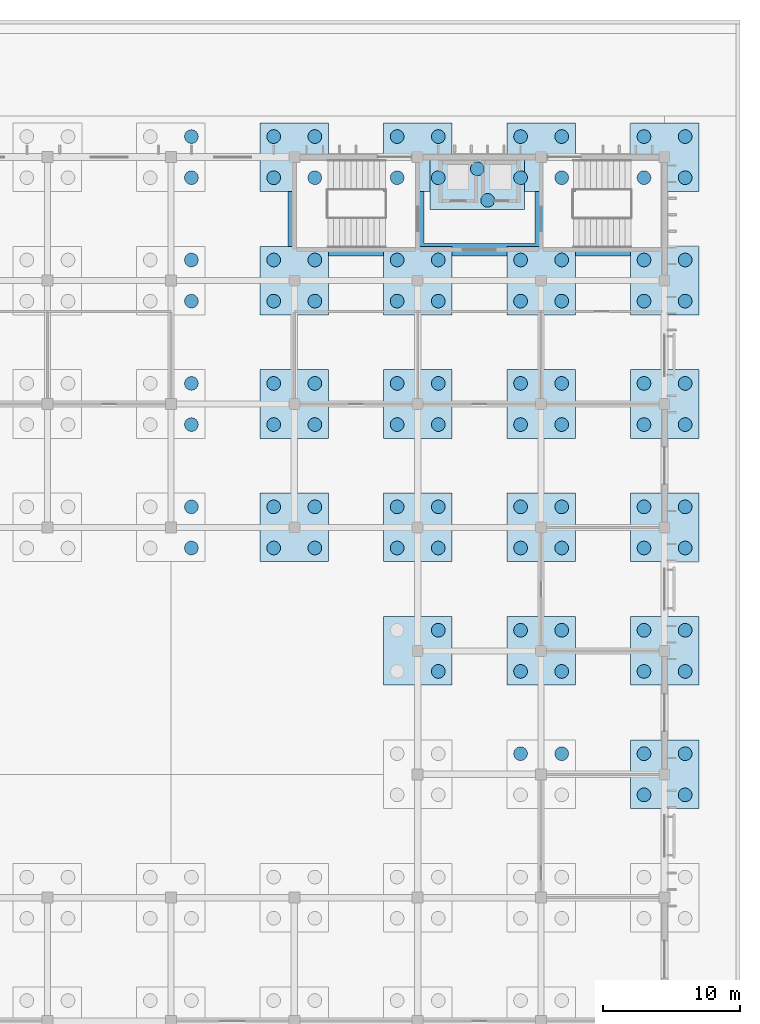
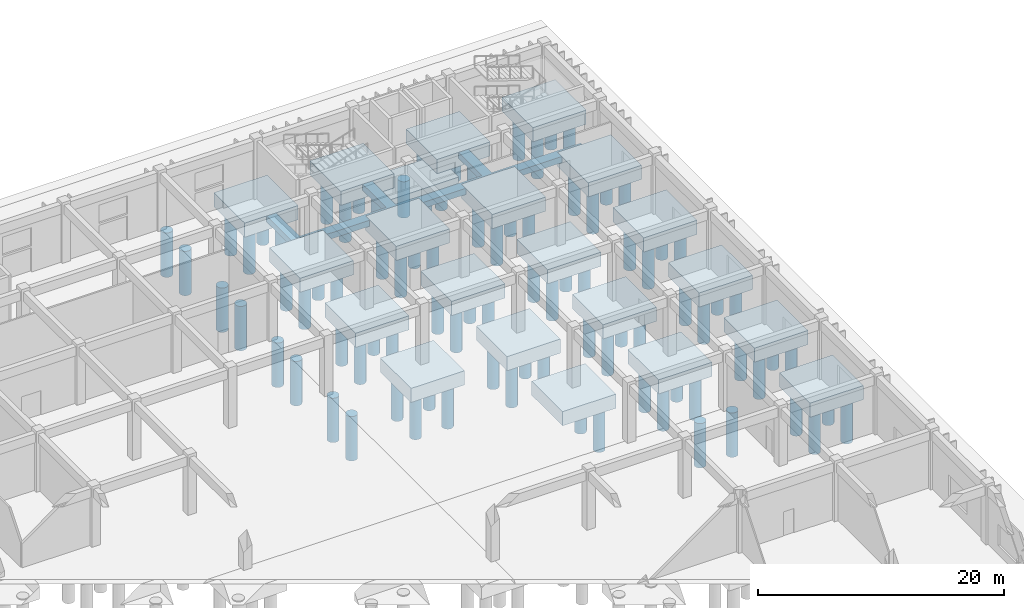
# One storey, part 17 of 198: 90 piles, 22 footings.
"""IFC4 building model written with IfcOpenShell, lengths in metres."""

from ifc_helpers import new_model, si_unit, direction, frame, origin, origin_2d, place, context, subcontext, project, spatial, polyline, circle, outline, extrude, material, layer, layer_set, material_profile, profile_set, type_object, element, save


model = new_model("IFC4")

# Units and contexts
model_context = context("Model", 3, precision=1e-05, world=origin(), true_north=direction((0.0, 1.0)))
body_context = subcontext(model_context, "Body", "Model", "MODEL_VIEW")
ifc_project = project(units=[si_unit("LENGTHUNIT", "METRE"), si_unit("AREAUNIT", "SQUARE_METRE"), si_unit("VOLUMEUNIT", "CUBIC_METRE"), si_unit("PLANEANGLEUNIT", "RADIAN"), si_unit("MASSUNIT", "GRAM", prefix="KILO")], contexts=[model_context])

# Site, building, storey
site_placement = place(None, origin())
site = spatial("IfcSite", under=ifc_project, at=site_placement, CompositionType="ELEMENT")
building_placement = place(site_placement, origin())
building = spatial("IfcBuilding", under=site, at=building_placement, Name="Opaline Strait Convention Centre", CompositionType="ELEMENT")
storey_placement = place(building_placement, origin())
storey = spatial("IfcBuildingStorey", under=building, at=storey_placement, Name="L00", CompositionType="ELEMENT", Elevation=0.0)

# Piles
ifc_material_1 = material(Name="Concrete C35", Category="concrete")
ifc_material_profile_1 = material_profile(ifc_material_1, circle(Radius=0.5, at=origin_2d()), Name="D1000")
ifc_profile_set_1 = profile_set([ifc_material_profile_1], Name="Concrete C35")
pile_type_1 = type_object("IfcPileType", Name="Bored pile D1000 L3.6 C35", PredefinedType="BORED", material=ifc_profile_set_1)
for number, where, z_axis, x_axis, name in (
    (1, (346.35009765625, 179.14990234375, -2.39990234375), (0.0, 0.0, -1.0), (1.0, 0.0, 0.0), "MPL2 pile 1 of lift pit raft NE"),
    (2, (347.10009765625, 176.85009765625, -2.39990234375), (0.0, 0.0, -1.0), (1.0, 0.0, 0.0), "MPL2 pile 2 of lift pit raft NE"),
):
    element("IfcPile", number, at=place(storey_placement, frame(where, z_axis=z_axis, x_axis=x_axis)), inside=storey, type_object=pile_type_1, Name=name, PredefinedType="BORED", context=body_context, shape_type="SweptSolid", body=[
        extrude(circle(Radius=0.5, at=origin_2d()), origin(), (0.0, 0.0, 1.0), 3.60009765625),
    ])
ifc_material_profile_2 = material_profile(ifc_material_1, circle(Radius=0.5, at=origin_2d()), Name="D1000")
ifc_profile_set_2 = profile_set([ifc_material_profile_2], Name="Concrete C35")
pile_type_2 = type_object("IfcPileType", Name="Bored pile D1000 L4.4 C35", PredefinedType="BORED", material=ifc_profile_set_2)
for number, where, z_axis, x_axis, name in (
    (3, (325.5, 151.5, -1.60009765625), (0.0, 0.0, -1.0), (1.0, 0.0, 0.0), "MPL1 pile 3 of cap at 37/T"),
    (4, (325.5, 154.5, -1.60009765625), (0.0, 0.0, -1.0), (1.0, 0.0, 0.0), "MPL1 pile 4 of cap at 37/T"),
    (5, (325.5, 160.5, -1.60009765625), (0.0, 0.0, -1.0), (1.0, 0.0, 0.0), "MPL1 pile 3 of cap at 37/U"),
    (6, (325.5, 163.5, -1.60009765625), (0.0, 0.0, -1.0), (1.0, 0.0, 0.0), "MPL1 pile 4 of cap at 37/U"),
    (7, (325.5, 169.5, -1.60009765625), (0.0, 0.0, -1.0), (1.0, 0.0, 0.0), "MPL1 pile 3 of cap at 37/V"),
    (8, (325.5, 172.5, -1.60009765625), (0.0, 0.0, -1.0), (1.0, 0.0, 0.0), "MPL1 pile 4 of cap at 37/V"),
    (9, (325.5, 178.5, -1.60009765625), (0.0, 0.0, -1.0), (1.0, 0.0, 0.0), "MPL1 pile 3 of cap at 37/W"),
    (10, (325.5, 181.5, -1.60009765625), (0.0, 0.0, -1.0), (1.0, 0.0, 0.0), "MPL1 pile 4 of cap at 37/W"),
    (11, (331.5, 151.5, -1.60009765625), (0.0, 0.0, -1.0), (1.0, 0.0, 0.0), "MPL1 pile 1 of cap at 38/T"),
    (12, (331.5, 154.5, -1.60009765625), (0.0, 0.0, -1.0), (1.0, 0.0, 0.0), "MPL1 pile 2 of cap at 38/T"),
    (13, (334.5, 151.5, -1.60009765625), (0.0, 0.0, -1.0), (1.0, 0.0, 0.0), "MPL1 pile 3 of cap at 38/T"),
    (14, (334.5, 154.5, -1.60009765625), (0.0, 0.0, -1.0), (1.0, 0.0, 0.0), "MPL1 pile 4 of cap at 38/T"),
    (15, (331.5, 160.5, -1.60009765625), (0.0, 0.0, -1.0), (1.0, 0.0, 0.0), "MPL1 pile 1 of cap at 38/U"),
    (16, (331.5, 163.5, -1.60009765625), (0.0, 0.0, -1.0), (1.0, 0.0, 0.0), "MPL1 pile 2 of cap at 38/U"),
    (17, (334.5, 160.5, -1.60009765625), (0.0, 0.0, -1.0), (1.0, 0.0, 0.0), "MPL1 pile 3 of cap at 38/U"),
    (18, (334.5, 163.5, -1.60009765625), (0.0, 0.0, -1.0), (1.0, 0.0, 0.0), "MPL1 pile 4 of cap at 38/U"),
    (19, (331.5, 169.5, -1.60009765625), (0.0, 0.0, -1.0), (1.0, 0.0, 0.0), "MPL1 pile 1 of cap at 38/V"),
    (20, (331.5, 172.5, -1.60009765625), (0.0, 0.0, -1.0), (1.0, 0.0, 0.0), "MPL1 pile 2 of cap at 38/V"),
    (21, (334.5, 169.5, -1.60009765625), (0.0, 0.0, -1.0), (1.0, 0.0, 0.0), "MPL1 pile 3 of cap at 38/V"),
    (22, (334.5, 172.5, -1.60009765625), (0.0, 0.0, -1.0), (1.0, 0.0, 0.0), "MPL1 pile 4 of cap at 38/V"),
    (23, (331.5, 178.5, -1.60009765625), (0.0, 0.0, -1.0), (1.0, 0.0, 0.0), "MPL1 pile 1 of cap at 38/W"),
    (24, (331.5, 181.5, -1.60009765625), (0.0, 0.0, -1.0), (1.0, 0.0, 0.0), "MPL1 pile 2 of cap at 38/W"),
    (25, (334.5, 178.5, -1.60009765625), (0.0, 0.0, -1.0), (1.0, 0.0, 0.0), "MPL1 pile 3 of cap at 38/W"),
    (26, (334.5, 181.5, -1.60009765625), (0.0, 0.0, -1.0), (1.0, 0.0, 0.0), "MPL1 pile 4 of cap at 38/W"),
    (27, (343.5, 142.5, -1.60009765625), (0.0, 0.0, -1.0), (1.0, 0.0, 0.0), "MPL1 pile 3 of cap at 39/S"),
    (28, (343.5, 145.5, -1.60009765625), (0.0, 0.0, -1.0), (1.0, 0.0, 0.0), "MPL1 pile 4 of cap at 39/S"),
    (29, (340.5, 151.5, -1.60009765625), (0.0, 0.0, -1.0), (1.0, 0.0, 0.0), "MPL1 pile 1 of cap at 39/T"),
    (30, (340.5, 154.5, -1.60009765625), (0.0, 0.0, -1.0), (1.0, 0.0, 0.0), "MPL1 pile 2 of cap at 39/T"),
    (31, (343.5, 151.5, -1.60009765625), (0.0, 0.0, -1.0), (1.0, 0.0, 0.0), "MPL1 pile 3 of cap at 39/T"),
    (32, (343.5, 154.5, -1.60009765625), (0.0, 0.0, -1.0), (1.0, 0.0, 0.0), "MPL1 pile 4 of cap at 39/T"),
    (33, (340.5, 160.5, -1.60009765625), (0.0, 0.0, -1.0), (1.0, 0.0, 0.0), "MPL1 pile 1 of cap at 39/U"),
    (34, (340.5, 163.5, -1.60009765625), (0.0, 0.0, -1.0), (1.0, 0.0, 0.0), "MPL1 pile 2 of cap at 39/U"),
    (35, (343.5, 160.5, -1.60009765625), (0.0, 0.0, -1.0), (1.0, 0.0, 0.0), "MPL1 pile 3 of cap at 39/U"),
    (36, (343.5, 163.5, -1.60009765625), (0.0, 0.0, -1.0), (1.0, 0.0, 0.0), "MPL1 pile 4 of cap at 39/U"),
    (37, (340.5, 169.5, -1.60009765625), (0.0, 0.0, -1.0), (1.0, 0.0, 0.0), "MPL1 pile 1 of cap at 39/V"),
    (38, (340.5, 172.5, -1.60009765625), (0.0, 0.0, -1.0), (1.0, 0.0, 0.0), "MPL1 pile 2 of cap at 39/V"),
    (39, (343.5, 169.5, -1.60009765625), (0.0, 0.0, -1.0), (1.0, 0.0, 0.0), "MPL1 pile 3 of cap at 39/V"),
    (40, (343.5, 172.5, -1.60009765625), (0.0, 0.0, -1.0), (1.0, 0.0, 0.0), "MPL1 pile 4 of cap at 39/V"),
    (41, (340.5, 178.5, -1.60009765625), (0.0, 0.0, -1.0), (1.0, 0.0, 0.0), "MPL1 pile 1 of cap at 39/W"),
    (42, (340.5, 181.5, -1.60009765625), (0.0, 0.0, -1.0), (1.0, 0.0, 0.0), "MPL1 pile 2 of cap at 39/W"),
    (43, (343.5, 178.5, -1.60009765625), (0.0, 0.0, -1.0), (1.0, 0.0, 0.0), "MPL1 pile 3 of cap at 39/W"),
    (44, (343.5, 181.5, -1.60009765625), (0.0, 0.0, -1.0), (1.0, 0.0, 0.0), "MPL1 pile 4 of cap at 39/W"),
    (45, (349.5, 136.5, -1.60009765625), (0.0, 0.0, -1.0), (1.0, 0.0, 0.0), "MPL1 pile 2 of cap at 40/R"),
    (46, (352.5, 136.5, -1.60009765625), (0.0, 0.0, -1.0), (1.0, 0.0, 0.0), "MPL1 pile 4 of cap at 40/R"),
    (47, (349.5, 142.5, -1.60009765625), (0.0, 0.0, -1.0), (1.0, 0.0, 0.0), "MPL1 pile 1 of cap at 40/S"),
    (48, (349.5, 145.5, -1.60009765625), (0.0, 0.0, -1.0), (1.0, 0.0, 0.0), "MPL1 pile 2 of cap at 40/S"),
    (49, (352.5, 142.5, -1.60009765625), (0.0, 0.0, -1.0), (1.0, 0.0, 0.0), "MPL1 pile 3 of cap at 40/S"),
    (50, (352.5, 145.5, -1.60009765625), (0.0, 0.0, -1.0), (1.0, 0.0, 0.0), "MPL1 pile 4 of cap at 40/S"),
    (51, (349.5, 151.5, -1.60009765625), (0.0, 0.0, -1.0), (1.0, 0.0, 0.0), "MPL1 pile 1 of cap at 40/T"),
    (52, (349.5, 154.5, -1.60009765625), (0.0, 0.0, -1.0), (1.0, 0.0, 0.0), "MPL1 pile 2 of cap at 40/T"),
    (53, (352.5, 151.5, -1.60009765625), (0.0, 0.0, -1.0), (1.0, 0.0, 0.0), "MPL1 pile 3 of cap at 40/T"),
    (54, (352.5, 154.5, -1.60009765625), (0.0, 0.0, -1.0), (1.0, 0.0, 0.0), "MPL1 pile 4 of cap at 40/T"),
    (55, (349.5, 160.5, -1.60009765625), (0.0, 0.0, -1.0), (1.0, 0.0, 0.0), "MPL1 pile 1 of cap at 40/U"),
    (56, (349.5, 163.5, -1.60009765625), (0.0, 0.0, -1.0), (1.0, 0.0, 0.0), "MPL1 pile 2 of cap at 40/U"),
    (57, (352.5, 160.5, -1.60009765625), (0.0, 0.0, -1.0), (1.0, 0.0, 0.0), "MPL1 pile 3 of cap at 40/U"),
    (58, (352.5, 163.5, -1.60009765625), (0.0, 0.0, -1.0), (1.0, 0.0, 0.0), "MPL1 pile 4 of cap at 40/U"),
    (59, (349.5, 169.5, -1.60009765625), (0.0, 0.0, -1.0), (1.0, 0.0, 0.0), "MPL1 pile 1 of cap at 40/V"),
    (60, (349.5, 172.5, -1.60009765625), (0.0, 0.0, -1.0), (1.0, 0.0, 0.0), "MPL1 pile 2 of cap at 40/V"),
    (61, (352.5, 169.5, -1.60009765625), (0.0, 0.0, -1.0), (1.0, 0.0, 0.0), "MPL1 pile 3 of cap at 40/V"),
    (62, (352.5, 172.5, -1.60009765625), (0.0, 0.0, -1.0), (1.0, 0.0, 0.0), "MPL1 pile 4 of cap at 40/V"),
    (63, (349.5, 178.5, -1.60009765625), (0.0, 0.0, -1.0), (1.0, 0.0, 0.0), "MPL1 pile 1 of cap at 40/W"),
    (64, (349.5, 181.5, -1.60009765625), (0.0, 0.0, -1.0), (1.0, 0.0, 0.0), "MPL1 pile 2 of cap at 40/W"),
    (65, (352.5, 178.5, -1.60009765625), (0.0, 0.0, -1.0), (1.0, 0.0, 0.0), "MPL1 pile 3 of cap at 40/W"),
    (66, (352.5, 181.5, -1.60009765625), (0.0, 0.0, -1.0), (1.0, 0.0, 0.0), "MPL1 pile 4 of cap at 40/W"),
    (67, (358.5, 133.5, -1.60009765625), (0.0, 0.0, -1.0), (1.0, 0.0, 0.0), "MPL1 pile 1 of cap at 41/R"),
    (68, (358.5, 136.5, -1.60009765625), (0.0, 0.0, -1.0), (1.0, 0.0, 0.0), "MPL1 pile 2 of cap at 41/R"),
    (69, (361.5, 133.5, -1.60009765625), (0.0, 0.0, -1.0), (1.0, 0.0, 0.0), "MPL1 pile 3 of cap at 41/R"),
    (70, (361.5, 136.5, -1.60009765625), (0.0, 0.0, -1.0), (1.0, 0.0, 0.0), "MPL1 pile 4 of cap at 41/R"),
    (71, (358.5, 142.5, -1.60009765625), (0.0, 0.0, -1.0), (1.0, 0.0, 0.0), "MPL1 pile 1 of cap at 41/S"),
    (72, (358.5, 145.5, -1.60009765625), (0.0, 0.0, -1.0), (1.0, 0.0, 0.0), "MPL1 pile 2 of cap at 41/S"),
    (73, (361.5, 142.5, -1.60009765625), (0.0, 0.0, -1.0), (1.0, 0.0, 0.0), "MPL1 pile 3 of cap at 41/S"),
    (74, (361.5, 145.5, -1.60009765625), (0.0, 0.0, -1.0), (1.0, 0.0, 0.0), "MPL1 pile 4 of cap at 41/S"),
    (75, (358.5, 151.5, -1.60009765625), (0.0, 0.0, -1.0), (1.0, 0.0, 0.0), "MPL1 pile 1 of cap at 41/T"),
    (76, (358.5, 154.5, -1.60009765625), (0.0, 0.0, -1.0), (1.0, 0.0, 0.0), "MPL1 pile 2 of cap at 41/T"),
    (77, (361.5, 151.5, -1.60009765625), (0.0, 0.0, -1.0), (1.0, 0.0, 0.0), "MPL1 pile 3 of cap at 41/T"),
    (78, (361.5, 154.5, -1.60009765625), (0.0, 0.0, -1.0), (1.0, 0.0, 0.0), "MPL1 pile 4 of cap at 41/T"),
    (79, (358.5, 160.5, -1.60009765625), (0.0, 0.0, -1.0), (1.0, 0.0, 0.0), "MPL1 pile 1 of cap at 41/U"),
    (80, (358.5, 163.5, -1.60009765625), (0.0, 0.0, -1.0), (1.0, 0.0, 0.0), "MPL1 pile 2 of cap at 41/U"),
    (81, (361.5, 160.5, -1.60009765625), (0.0, 0.0, -1.0), (1.0, 0.0, 0.0), "MPL1 pile 3 of cap at 41/U"),
    (82, (361.5, 163.5, -1.60009765625), (0.0, 0.0, -1.0), (1.0, 0.0, 0.0), "MPL1 pile 4 of cap at 41/U"),
    (83, (358.5, 169.5, -1.60009765625), (0.0, 0.0, -1.0), (1.0, 0.0, 0.0), "MPL1 pile 1 of cap at 41/V"),
    (84, (358.5, 172.5, -1.60009765625), (0.0, 0.0, -1.0), (1.0, 0.0, 0.0), "MPL1 pile 2 of cap at 41/V"),
    (85, (361.5, 169.5, -1.60009765625), (0.0, 0.0, -1.0), (1.0, 0.0, 0.0), "MPL1 pile 3 of cap at 41/V"),
    (86, (361.5, 172.5, -1.60009765625), (0.0, 0.0, -1.0), (1.0, 0.0, 0.0), "MPL1 pile 4 of cap at 41/V"),
    (87, (358.5, 178.5, -1.60009765625), (0.0, 0.0, -1.0), (1.0, 0.0, 0.0), "MPL1 pile 1 of cap at 41/W"),
    (88, (358.5, 181.5, -1.60009765625), (0.0, 0.0, -1.0), (1.0, 0.0, 0.0), "MPL1 pile 2 of cap at 41/W"),
    (89, (361.5, 178.5, -1.60009765625), (0.0, 0.0, -1.0), (1.0, 0.0, 0.0), "MPL1 pile 3 of cap at 41/W"),
    (90, (361.5, 181.5, -1.60009765625), (0.0, 0.0, -1.0), (1.0, 0.0, 0.0), "MPL1 pile 4 of cap at 41/W"),
):
    element("IfcPile", number, at=place(storey_placement, frame(where, z_axis=z_axis, x_axis=x_axis)), inside=storey, type_object=pile_type_2, Name=name, PredefinedType="BORED", context=body_context, shape_type="SweptSolid", body=[
        extrude(circle(Radius=0.5, at=origin_2d()), origin(), (0.0, 0.0, 1.0), 4.39990234375),
    ])

# Footings
ifc_material_2 = material(Name="Concrete C40", Category="concrete")
ifc_layer_1 = layer(ifc_material_2, 1.39990234375)
ifc_layer_set_1 = layer_set([ifc_layer_1], Name="Concrete C40")
footing_type_1 = type_object("IfcFootingType", Name="Pile cap 4 piles 5000x5000x1400 C40", PredefinedType="PILE_CAP", material=ifc_layer_set_1)
footing_1_placement = place(storey_placement, frame((0.0, 0.0, -1.699951171875)))
element("IfcFooting", 91, at=footing_1_placement, inside=storey, type_object=footing_type_1, Name="MPC1 pile cap at 38/T", PredefinedType="PILE_CAP", context=body_context, shape_type="SweptSolid", body=[
    extrude(outline(polyline([(330.5, 150.5), (335.5, 150.5), (335.5, 155.5), (330.5, 155.5), (330.5, 150.5)])), origin(), (0.0, 0.0, 1.0), 1.39990234375),
])
footing_2_placement = place(storey_placement, frame((0.0, 0.0, -1.699951171875)))
element("IfcFooting", 92, at=footing_2_placement, inside=storey, type_object=footing_type_1, Name="MPC1 pile cap at 38/U", PredefinedType="PILE_CAP", context=body_context, shape_type="SweptSolid", body=[
    extrude(outline(polyline([(330.5, 159.5), (335.5, 159.5), (335.5, 164.5), (330.5, 164.5), (330.5, 159.5)])), origin(), (0.0, 0.0, 1.0), 1.39990234375),
])
footing_3_placement = place(storey_placement, frame((0.0, 0.0, -1.699951171875)))
element("IfcFooting", 93, at=footing_3_placement, inside=storey, type_object=footing_type_1, Name="MPC1 pile cap at 38/V", PredefinedType="PILE_CAP", context=body_context, shape_type="SweptSolid", body=[
    extrude(outline(polyline([(330.5, 168.5), (335.5, 168.5), (335.5, 173.5), (330.5, 173.5), (330.5, 168.5)])), origin(), (0.0, 0.0, 1.0), 1.39990234375),
])
footing_4_placement = place(storey_placement, frame((0.0, 0.0, -1.699951171875)))
element("IfcFooting", 94, at=footing_4_placement, inside=storey, type_object=footing_type_1, Name="MPC1 pile cap at 38/W", PredefinedType="PILE_CAP", context=body_context, shape_type="SweptSolid", body=[
    extrude(outline(polyline([(330.5, 177.5), (335.5, 177.5), (335.5, 182.5), (330.5, 182.5), (330.5, 177.5)])), origin(), (0.0, 0.0, 1.0), 1.39990234375),
])
footing_5_placement = place(storey_placement, frame((0.0, 0.0, -1.699951171875)))
element("IfcFooting", 95, at=footing_5_placement, inside=storey, type_object=footing_type_1, Name="MPC1 pile cap at 39/S", PredefinedType="PILE_CAP", context=body_context, shape_type="SweptSolid", body=[
    extrude(outline(polyline([(339.5, 141.5), (344.5, 141.5), (344.5, 146.5), (339.5, 146.5), (339.5, 141.5)])), origin(), (0.0, 0.0, 1.0), 1.39990234375),
])
footing_6_placement = place(storey_placement, frame((0.0, 0.0, -1.699951171875)))
element("IfcFooting", 96, at=footing_6_placement, inside=storey, type_object=footing_type_1, Name="MPC1 pile cap at 39/T", PredefinedType="PILE_CAP", context=body_context, shape_type="SweptSolid", body=[
    extrude(outline(polyline([(339.5, 150.5), (344.5, 150.5), (344.5, 155.5), (339.5, 155.5), (339.5, 150.5)])), origin(), (0.0, 0.0, 1.0), 1.39990234375),
])
footing_7_placement = place(storey_placement, frame((0.0, 0.0, -1.699951171875)))
element("IfcFooting", 97, at=footing_7_placement, inside=storey, type_object=footing_type_1, Name="MPC1 pile cap at 39/U", PredefinedType="PILE_CAP", context=body_context, shape_type="SweptSolid", body=[
    extrude(outline(polyline([(339.5, 159.5), (344.5, 159.5), (344.5, 164.5), (339.5, 164.5), (339.5, 159.5)])), origin(), (0.0, 0.0, 1.0), 1.39990234375),
])
footing_8_placement = place(storey_placement, frame((0.0, 0.0, -1.699951171875)))
element("IfcFooting", 98, at=footing_8_placement, inside=storey, type_object=footing_type_1, Name="MPC1 pile cap at 39/V", PredefinedType="PILE_CAP", context=body_context, shape_type="SweptSolid", body=[
    extrude(outline(polyline([(339.5, 168.5), (344.5, 168.5), (344.5, 173.5), (339.5, 173.5), (339.5, 168.5)])), origin(), (0.0, 0.0, 1.0), 1.39990234375),
])
footing_9_placement = place(storey_placement, frame((0.0, 0.0, -1.699951171875)))
element("IfcFooting", 99, at=footing_9_placement, inside=storey, type_object=footing_type_1, Name="MPC1 pile cap at 39/W", PredefinedType="PILE_CAP", context=body_context, shape_type="SweptSolid", body=[
    extrude(outline(polyline([(339.5, 177.5), (344.5, 177.5), (344.5, 182.5), (339.5, 182.5), (339.5, 177.5)])), origin(), (0.0, 0.0, 1.0), 1.39990234375),
])
footing_10_placement = place(storey_placement, frame((0.0, 0.0, -1.699951171875)))
element("IfcFooting", 100, at=footing_10_placement, inside=storey, type_object=footing_type_1, Name="MPC1 pile cap at 40/S", PredefinedType="PILE_CAP", context=body_context, shape_type="SweptSolid", body=[
    extrude(outline(polyline([(348.5, 141.5), (353.5, 141.5), (353.5, 146.5), (348.5, 146.5), (348.5, 141.5)])), origin(), (0.0, 0.0, 1.0), 1.39990234375),
])
footing_11_placement = place(storey_placement, frame((0.0, 0.0, -1.699951171875)))
element("IfcFooting", 101, at=footing_11_placement, inside=storey, type_object=footing_type_1, Name="MPC1 pile cap at 40/T", PredefinedType="PILE_CAP", context=body_context, shape_type="SweptSolid", body=[
    extrude(outline(polyline([(348.5, 150.5), (353.5, 150.5), (353.5, 155.5), (348.5, 155.5), (348.5, 150.5)])), origin(), (0.0, 0.0, 1.0), 1.39990234375),
])
footing_12_placement = place(storey_placement, frame((0.0, 0.0, -1.699951171875)))
element("IfcFooting", 102, at=footing_12_placement, inside=storey, type_object=footing_type_1, Name="MPC1 pile cap at 40/U", PredefinedType="PILE_CAP", context=body_context, shape_type="SweptSolid", body=[
    extrude(outline(polyline([(348.5, 159.5), (353.5, 159.5), (353.5, 164.5), (348.5, 164.5), (348.5, 159.5)])), origin(), (0.0, 0.0, 1.0), 1.39990234375),
])
footing_13_placement = place(storey_placement, frame((0.0, 0.0, -1.699951171875)))
element("IfcFooting", 103, at=footing_13_placement, inside=storey, type_object=footing_type_1, Name="MPC1 pile cap at 40/V", PredefinedType="PILE_CAP", context=body_context, shape_type="SweptSolid", body=[
    extrude(outline(polyline([(348.5, 168.5), (353.5, 168.5), (353.5, 173.5), (348.5, 173.5), (348.5, 168.5)])), origin(), (0.0, 0.0, 1.0), 1.39990234375),
])
footing_14_placement = place(storey_placement, frame((0.0, 0.0, -1.699951171875)))
element("IfcFooting", 104, at=footing_14_placement, inside=storey, type_object=footing_type_1, Name="MPC1 pile cap at 40/W", PredefinedType="PILE_CAP", context=body_context, shape_type="SweptSolid", body=[
    extrude(outline(polyline([(348.5, 177.5), (353.5, 177.5), (353.5, 182.5), (348.5, 182.5), (348.5, 177.5)])), origin(), (0.0, 0.0, 1.0), 1.39990234375),
])
footing_15_placement = place(storey_placement, frame((0.0, 0.0, -1.699951171875)))
element("IfcFooting", 105, at=footing_15_placement, inside=storey, type_object=footing_type_1, Name="MPC1 pile cap at 41/R", PredefinedType="PILE_CAP", context=body_context, shape_type="SweptSolid", body=[
    extrude(outline(polyline([(357.5, 132.5), (362.5, 132.5), (362.5, 137.5), (357.5, 137.5), (357.5, 132.5)])), origin(), (0.0, 0.0, 1.0), 1.39990234375),
])
footing_16_placement = place(storey_placement, frame((0.0, 0.0, -1.699951171875)))
element("IfcFooting", 106, at=footing_16_placement, inside=storey, type_object=footing_type_1, Name="MPC1 pile cap at 41/S", PredefinedType="PILE_CAP", context=body_context, shape_type="SweptSolid", body=[
    extrude(outline(polyline([(357.5, 141.5), (362.5, 141.5), (362.5, 146.5), (357.5, 146.5), (357.5, 141.5)])), origin(), (0.0, 0.0, 1.0), 1.39990234375),
])
footing_17_placement = place(storey_placement, frame((0.0, 0.0, -1.699951171875)))
element("IfcFooting", 107, at=footing_17_placement, inside=storey, type_object=footing_type_1, Name="MPC1 pile cap at 41/T", PredefinedType="PILE_CAP", context=body_context, shape_type="SweptSolid", body=[
    extrude(outline(polyline([(357.5, 150.5), (362.5, 150.5), (362.5, 155.5), (357.5, 155.5), (357.5, 150.5)])), origin(), (0.0, 0.0, 1.0), 1.39990234375),
])
footing_18_placement = place(storey_placement, frame((0.0, 0.0, -1.699951171875)))
element("IfcFooting", 108, at=footing_18_placement, inside=storey, type_object=footing_type_1, Name="MPC1 pile cap at 41/U", PredefinedType="PILE_CAP", context=body_context, shape_type="SweptSolid", body=[
    extrude(outline(polyline([(357.5, 159.5), (362.5, 159.5), (362.5, 164.5), (357.5, 164.5), (357.5, 159.5)])), origin(), (0.0, 0.0, 1.0), 1.39990234375),
])
footing_19_placement = place(storey_placement, frame((0.0, 0.0, -1.699951171875)))
element("IfcFooting", 109, at=footing_19_placement, inside=storey, type_object=footing_type_1, Name="MPC1 pile cap at 41/V", PredefinedType="PILE_CAP", context=body_context, shape_type="SweptSolid", body=[
    extrude(outline(polyline([(357.5, 168.5), (362.5, 168.5), (362.5, 173.5), (357.5, 173.5), (357.5, 168.5)])), origin(), (0.0, 0.0, 1.0), 1.39990234375),
])
footing_20_placement = place(storey_placement, frame((0.0, 0.0, -1.699951171875)))
element("IfcFooting", 110, at=footing_20_placement, inside=storey, type_object=footing_type_1, Name="MPC1 pile cap at 41/W", PredefinedType="PILE_CAP", context=body_context, shape_type="SweptSolid", body=[
    extrude(outline(polyline([(357.5, 177.5), (362.5, 177.5), (362.5, 182.5), (357.5, 182.5), (357.5, 177.5)])), origin(), (0.0, 0.0, 1.0), 1.39990234375),
])
ifc_layer_2 = layer(ifc_material_2, 0.800048828125)
ifc_layer_set_2 = layer_set([ifc_layer_2], Name="Concrete C40")
footing_type_2 = type_object("IfcFootingType", Name="Pile cap lift pit 6900x3400x800 C40", PredefinedType="PILE_CAP", material=ifc_layer_set_2)
footing_21_placement = place(storey_placement, frame((0.0, 0.0, -2.5)))
element("IfcFooting", 111, at=footing_21_placement, inside=storey, type_object=footing_type_2, Name="MPR1 lift pit raft NE", PredefinedType="PILE_CAP", context=body_context, shape_type="SweptSolid", body=[
    extrude(outline(polyline([(349.800048828125, 176.199951171875), (349.800048828125, 179.800048828125), (342.89990234375, 179.800048828125), (342.89990234375, 176.199951171875), (349.800048828125, 176.199951171875)])), origin(), (0.0, 0.0, 1.0), 0.800048828125),
])
ifc_layer_3 = layer(ifc_material_2, 0.60009765625)
ifc_layer_set_3 = layer_set([ifc_layer_3], Name="Concrete C40")
footing_type_3 = type_object("IfcFootingType", Name="Strip footing 900 under core wall C40", PredefinedType="STRIP_FOOTING", material=ifc_layer_set_3)
footing_22_placement = place(storey_placement, frame((0.0, 0.0, -0.89990234375)))
element("IfcFooting", 112, at=footing_22_placement, inside=storey, type_object=footing_type_3, Name="MSF1 strip footing 4", PredefinedType="STRIP_FOOTING", context=body_context, shape_type="SweptSolid", body=[
    extrude(outline(polyline([(341.550048828125, 173.699951171875), (341.550048828125, 177.5), (342.449951171875, 177.5), (342.449951171875, 173.699951171875), (350.550048828125, 173.699951171875), (350.550048828125, 177.5), (351.449951171875, 177.5), (351.449951171875, 173.699951171875), (359.800048828125, 173.699951171875), (359.800048828125, 173.5), (357.5, 173.5), (357.5, 172.800048828125), (353.5, 172.800048828125), (353.5, 173.5), (348.5, 173.5), (348.5, 172.800048828125), (344.5, 172.800048828125), (344.5, 173.5), (339.5, 173.5), (339.5, 172.800048828125), (335.5, 172.800048828125), (335.5, 173.5), (332.550048828125, 173.5), (332.550048828125, 177.5), (333.449951171875, 177.5), (333.449951171875, 173.699951171875), (341.550048828125, 173.699951171875)])), origin(), (0.0, 0.0, 1.0), 0.599853515625),
])

save(model, "model.ifc")
